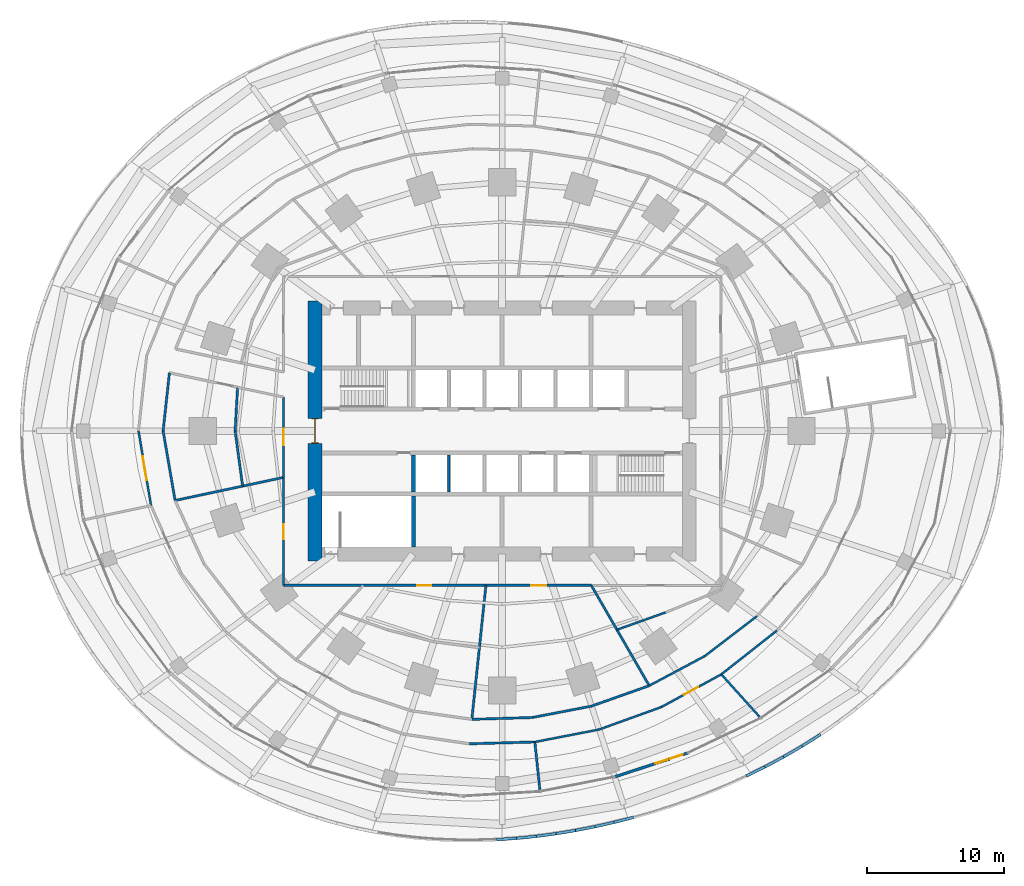
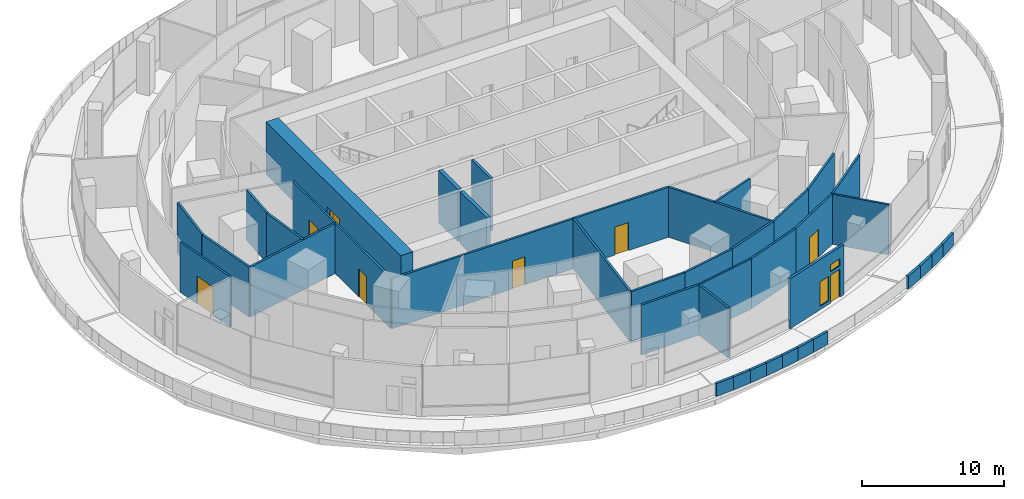
# One storey, part 17 of 26: 40 walls, 8 doors, 2 windows, 10 openings.
"""IFC4 building model written with IfcOpenShell, lengths in metres."""

import ifcopenshell
import ifcopenshell.guid

model = None  # the IFC model being written
_history = None  # IfcOwnerHistory: only IFC2X3 demands one
_inside = {}  # id of a spatial element -> (the spatial element, [elements in it])
_under = {}  # id of a project, library or spatial element -> (it, [spatial elements below it])
_declared = {}  # id of a project -> (the project, [libraries it declares])
_typed = {}  # id of a type object -> (the type object, [elements of that type])
_made_of = {}  # id of a material, layer set ... -> (it, [elements and type objects made of it])


def new_model(schema):
    """Start an empty IFC model of exactly this schema.

    Asked for "IFC4X3", IfcOpenShell would pick the latest addendum, in which some entities
    have other attributes; the version numbers below select the first issue.
    IFC2X3 requires an IfcOwnerHistory on every rooted entity: one is made here for all.
    """
    global model, _history
    if schema == "IFC4X3":
        model = ifcopenshell.file(schema_version=(4, 3, 0, 0))
    else:
        model = ifcopenshell.file(schema=schema)
    _inside.clear()
    _under.clear()
    _declared.clear()
    _typed.clear()
    _made_of.clear()
    _history = None
    if model.schema == "IFC2X3":
        org = make("IfcOrganization", Name="unknown")
        user = make(
            "IfcPersonAndOrganization",
            ThePerson=make("IfcPerson", FamilyName="unknown"),
            TheOrganization=org,
        )
        app = make(
            "IfcApplication",
            ApplicationDeveloper=org,
            Version="unknown",
            ApplicationFullName="unknown",
            ApplicationIdentifier="unknown",
        )
        _history = make(
            "IfcOwnerHistory",
            OwningUser=user,
            OwningApplication=app,
            ChangeAction="ADDED",
            CreationDate=0,
        )
    return model


def make(cls, **values):
    """One entity of the class cls with the attributes given. An attribute that is None is left unset."""
    return model.create_entity(
        cls, **{name: value for name, value in values.items() if value is not None}
    )


def rooted(cls, **values):
    """An entity with a GlobalId (a new one), such as an element, a storey or a relation."""
    return make(cls, GlobalId=ifcopenshell.guid.new(), OwnerHistory=_history, **values)


def si_unit(unit_type, name, prefix=None):
    """IfcSIUnit, for example si_unit("LENGTHUNIT", "METRE", prefix="MILLI")."""
    return make("IfcSIUnit", UnitType=unit_type, Prefix=prefix, Name=name)


def assignment(units):
    """IfcUnitAssignment: the units of a project."""
    return None if units is None else make("IfcUnitAssignment", Units=units)


def point(xyz):
    """IfcCartesianPoint."""
    return None if xyz is None else make("IfcCartesianPoint", Coordinates=xyz)


def direction(xyz):
    """IfcDirection."""
    return None if xyz is None else make("IfcDirection", DirectionRatios=xyz)


def frame(location, z_axis=None, x_axis=None):
    """IfcAxis2Placement3D, a coordinate frame: its origin and axes. An axis left out is left unset."""
    return make(
        "IfcAxis2Placement3D",
        Location=point(location),
        Axis=direction(z_axis),
        RefDirection=direction(x_axis),
    )


def frame_2d(location, x_axis=None):
    """IfcAxis2Placement2D, a coordinate frame in the plane: its origin and x axis."""
    return make(
        "IfcAxis2Placement2D", Location=point(location), RefDirection=direction(x_axis)
    )


def origin():
    """The frame at (0, 0, 0) with its axes left unset."""
    return frame((0.0, 0.0, 0.0))


def place(relative_to, where):
    """IfcLocalPlacement: puts the frame where relative to a parent placement (None: the world)."""
    return make(
        "IfcLocalPlacement", PlacementRelTo=relative_to, RelativePlacement=where
    )


def context(
    kind, dimensions, precision=None, world=None, true_north=None, identifier=None
):
    """IfcGeometricRepresentationContext, for example the 3D "Model" context."""
    return make(
        "IfcGeometricRepresentationContext",
        ContextIdentifier=identifier,
        ContextType=kind,
        CoordinateSpaceDimension=dimensions,
        Precision=precision,
        WorldCoordinateSystem=world,
        TrueNorth=true_north,
    )


def subcontext(parent, identifier, kind, view, scale=None):
    """IfcGeometricRepresentationSubContext, for example "Body" below "Model"."""
    return make(
        "IfcGeometricRepresentationSubContext",
        ContextIdentifier=identifier,
        ContextType=kind,
        ParentContext=parent,
        TargetScale=scale,
        TargetView=view,
    )


def project(units=None, contexts=None):
    """IfcProject with its units and contexts."""
    return rooted(
        "IfcProject",
        Name="project",
        RepresentationContexts=contexts,
        UnitsInContext=assignment(units),
    )


def spatial(cls, under=None, at=None, **own):
    """A site, building, storey or space (cls), placed at a placement, below another one or the project."""
    s = rooted(cls, ObjectPlacement=at, **own)
    if under is not None:
        _under.setdefault(under.id(), (under, []))[1].append(s)
    return s


def profile(cls, at=None, kind="AREA", **sizes):
    """A parametric profile (cls). Its sizes go by their IFC names, for example OverallWidth=200.0."""
    return make(cls, ProfileType=kind, Position=at, **sizes)


def rectangle(**sizes):
    """IfcRectangleProfileDef."""
    return profile("IfcRectangleProfileDef", **sizes)


def extrude(swept, where, along, depth):
    """IfcExtrudedAreaSolid: the profile swept, set in the frame where, extruded along a direction by depth."""
    return make(
        "IfcExtrudedAreaSolid",
        SweptArea=swept,
        Position=where,
        ExtrudedDirection=direction(along),
        Depth=depth,
    )


def shape(context_of_items, identifier, shape_type, items):
    """IfcShapeRepresentation: the items that make up one representation, for example the "Body"."""
    return make(
        "IfcShapeRepresentation",
        ContextOfItems=context_of_items,
        RepresentationIdentifier=identifier,
        RepresentationType=shape_type,
        Items=items,
    )


def material(Name=None, Category=None):
    """IfcMaterial."""
    return make("IfcMaterial", Name=Name, Category=Category)


def layer(
    of_material, thickness, ventilated=None, Name=None, Category=None, Priority=None
):
    """IfcMaterialLayer: one layer of a wall or slab, of a material (None: an air gap)."""
    return make(
        "IfcMaterialLayer",
        Material=of_material,
        LayerThickness=thickness,
        IsVentilated=ventilated,
        Name=Name,
        Category=Category,
        Priority=Priority,
    )


def layer_set(layers, Name=None):
    """IfcMaterialLayerSet."""
    return make("IfcMaterialLayerSet", MaterialLayers=layers, LayerSetName=Name)


def made_of(thing, what):
    """Note that an element or type object is made of a material, layer set ...; save() writes the relation."""
    if what is not None:
        _made_of.setdefault(what.id(), (what, []))[1].append(thing)
    return thing


def type_object(cls, material=None, **own):
    """A type object (cls), such as IfcWallType, which elements share."""
    return made_of(rooted(cls, **own), material)


def element(
    cls,
    number,
    at=None,
    inside=None,
    cuts=None,
    type_object=None,
    material=None,
    context=None,
    identifier="Body",
    shape_type=None,
    held_by="IfcProductDefinitionShape",
    body=None,
    shapes=None,
    **own,
):
    """One element of the class cls, such as IfcWall. Its Tag is "e" and its number.

    at: its placement. inside: the storey or other place that contains it. cuts: it is an
    opening in that element (IfcRelVoidsElement). A single representation is given by context,
    identifier, shape_type and body (its items); several are given by shapes. held_by: the class
    of the entity that holds the representations. save() writes the other relations.
    """
    e = rooted(cls, Tag="e%d" % number, ObjectPlacement=at, **own)
    if body is not None:
        shapes = [shape(context, identifier, shape_type, body)]
    if shapes is not None:
        e.Representation = make(held_by, Representations=shapes)
    if inside is not None:
        _inside.setdefault(inside.id(), (inside, []))[1].append(e)
    if cuts is not None:
        rooted(
            "IfcRelVoidsElement", RelatingBuildingElement=cuts, RelatedOpeningElement=e
        )
    if type_object is not None:
        _typed.setdefault(type_object.id(), (type_object, []))[1].append(e)
    return made_of(e, material)


def fill(opening, filler):
    """IfcRelFillsElement: the door or window that sits in an opening."""
    return rooted(
        "IfcRelFillsElement",
        RelatingOpeningElement=opening,
        RelatedBuildingElement=filler,
    )


def aggregate(whole, parts):
    """IfcRelAggregates: a whole, such as a stair, and the parts it consists of."""
    return rooted("IfcRelAggregates", RelatingObject=whole, RelatedObjects=parts)


def save(model, path):
    """Write the relations noted so far, then the file.

    IfcRelAggregates (storeys below a building ...), IfcRelContainedInSpatialStructure (elements
    in a storey), IfcRelDefinesByType, IfcRelAssociatesMaterial and IfcRelDeclares: one each for
    every whole, place, type object, material and project.
    """
    for whole, parts in _under.values():
        aggregate(whole, parts)
    for where, things in _inside.values():
        rooted(
            "IfcRelContainedInSpatialStructure",
            RelatedElements=things,
            RelatingStructure=where,
        )
    for kind, things in _typed.values():
        rooted("IfcRelDefinesByType", RelatedObjects=things, RelatingType=kind)
    for what, things in _made_of.values():
        rooted("IfcRelAssociatesMaterial", RelatedObjects=things, RelatingMaterial=what)
    for by, libraries in _declared.values():
        rooted("IfcRelDeclares", RelatingContext=by, RelatedDefinitions=libraries)
    model.write(path)


model = new_model("IFC4")

# Units and contexts
model_context = context("Model", 3, precision=1e-05, world=origin(), true_north=direction((0.0, 1.0)))
body_context = subcontext(model_context, "Body", "Model", "MODEL_VIEW")
ifc_project = project(units=[si_unit("LENGTHUNIT", "METRE"), si_unit("AREAUNIT", "SQUARE_METRE"), si_unit("VOLUMEUNIT", "CUBIC_METRE"), si_unit("PLANEANGLEUNIT", "RADIAN"), si_unit("MASSUNIT", "GRAM", prefix="KILO")], contexts=[model_context])

# Site, building, storey
site_placement = place(None, origin())
site = spatial("IfcSite", under=ifc_project, at=site_placement, CompositionType="ELEMENT")
building_placement = place(site_placement, origin())
building = spatial("IfcBuilding", under=site, at=building_placement, Name="Marramba Exchange Tower", CompositionType="ELEMENT")
storey_placement = place(building_placement, frame((0.0, 0.0, 15.10009765625)))
storey = spatial("IfcBuildingStorey", under=building, at=storey_placement, Name="L03", CompositionType="ELEMENT", Elevation=15.10009765625)

# Walls
ifc_material_1 = material(Name="Plasterboard on staggered double steel studs, acoustic insulation", Category="steel")
ifc_layer_1 = layer(ifc_material_1, 0.169921875)
ifc_layer_set_1 = layer_set([ifc_layer_1], Name="Acoustic partition 170")
wall_type_1 = type_object("IfcWallType", Name="Acoustic partition 170", PredefinedType="PARTITIONING", material=ifc_layer_set_1)
wall_1_placement = place(storey_placement, frame((-23.93212890625, -5.0869140625, 0.0), z_axis=(0.0, 0.0, 1.0), x_axis=(-0.169704177239, 0.985495049317, 0.0)))
element("IfcWall", 1, at=wall_1_placement, inside=storey, type_object=wall_type_1, Name="Acoustic partition L03 02", PredefinedType="PARTITIONING", context=body_context, shape_type="SweptSolid", body=[
    extrude(rectangle(XDim=5.161865234375, YDim=0.169921875, at=frame_2d((2.5810546875, 0.0))), origin(), (0.0, 0.0, 1.0), 4.2998046875),
])
wall_2_placement = place(storey_placement, frame((-18.989990234375, -4.036376953125, 0.0), z_axis=(0.0, 0.0, 1.0), x_axis=(-0.135024948545, 0.990842198975, 0.0)))
element("IfcWall", 2, at=wall_2_placement, inside=storey, type_object=wall_type_1, Name="Acoustic partition L03 04", PredefinedType="PARTITIONING", context=body_context, shape_type="SweptSolid", body=[
    extrude(rectangle(XDim=4.07373046875, YDim=0.169921875, at=frame_2d((2.036865234375, 0.0))), origin(), (0.0, 0.0, 1.0), 4.2998046875),
])
wall_3_placement = place(storey_placement, frame((-23.93212890625, -5.0869140625, 0.0), z_axis=(0.0, 0.0, 1.0), x_axis=(0.97814737229, 0.20791276556, 0.0)))
element("IfcWall", 3, at=wall_3_placement, inside=storey, type_object=wall_type_1, Name="Acoustic partition L03 05", PredefinedType="PARTITIONING", context=body_context, shape_type="SweptSolid", body=[
    extrude(rectangle(XDim=8.109375, YDim=0.169921875, at=frame_2d((4.0546875, 0.0))), origin(), (0.0, 0.0, 1.0), 4.2998046875),
])

# Wall, opening, door
wall_4_placement = place(storey_placement, frame((-16.0, -3.40087890625, 0.0), z_axis=(0.0, 0.0, 1.0), x_axis=(0.0, -1.0, 0.0)))
wall_4 = element("IfcWall", 4, at=wall_4_placement, inside=storey, type_object=wall_type_1, Name="Acoustic partition L03 09", PredefinedType="PARTITIONING", context=body_context, shape_type="SweptSolid", body=[
    extrude(rectangle(XDim=7.899169921875, YDim=0.169921875, at=frame_2d((3.94970703125, 0.0))), origin(), (0.0, 0.0, 1.0), 4.2998046875),
])
opening_1_placement = place(wall_4_placement, frame((3.425048828125, 0.0, 0.0)))
opening_1 = element("IfcOpeningElement", 5, at=opening_1_placement, cuts=wall_4, Name="Opening D15", PredefinedType="OPENING", context=body_context, shape_type="SweptSolid", body=[
    extrude(rectangle(XDim=1.10009765625, YDim=2.39990234375, at=frame_2d((0.550048828125, 1.199951171875))), frame((0.0, 0.094970703125, 0.0), z_axis=(0.0, -1.0, 0.0), x_axis=(1.0, 0.0, 0.0)), (0.0, 0.0, 1.0), 0.18994140625),
])
ifc_material_2 = material(Name="Timber door", Category="wood")
door_type_1 = type_object("IfcDoorType", Name="Glazed meeting room door 1100x2400", OperationType="SINGLE_SWING_LEFT", PredefinedType="DOOR", material=ifc_material_2)
door_1_placement = place(opening_1_placement, origin())
door_1 = element("IfcDoor", 6, at=door_1_placement, inside=storey, type_object=door_type_1, Name="D15 Meeting Room 2 L03", OperationType="SINGLE_SWING_RIGHT", OverallHeight=2.39990234375, OverallWidth=1.10009765625, PredefinedType="DOOR", context=body_context, shape_type="SweptSolid", body=[
    extrude(rectangle(XDim=1.10009765625, YDim=2.39990234375, at=frame_2d((0.550048828125, 1.199951171875))), frame((0.0, 0.02490234375, 0.0), z_axis=(0.0, -1.0, 0.0), x_axis=(1.0, 0.0, 0.0)), (0.0, 0.0, 1.0), 0.050048828125),
])
fill(opening_1, door_1)

# Wall, openings, doors
wall_5_placement = place(storey_placement, frame((-16.0, -11.300048828125, 0.0), z_axis=(0.0, 0.0, 1.0), x_axis=(1.0, 0.0, 0.0)))
wall_5 = element("IfcWall", 7, at=wall_5_placement, inside=storey, type_object=wall_type_1, Name="Acoustic partition L03 23", PredefinedType="PARTITIONING", context=body_context, shape_type="SweptSolid", body=[
    extrude(rectangle(XDim=22.524169921875, YDim=0.169921875, at=frame_2d((11.26220703125, 0.0))), origin(), (0.0, 0.0, 1.0), 4.2998046875),
])
opening_2_placement = place(wall_5_placement, frame((18.117919921875, 0.0, 0.0)))
opening_2 = element("IfcOpeningElement", 8, at=opening_2_placement, cuts=wall_5, Name="Opening D15", PredefinedType="OPENING", context=body_context, shape_type="SweptSolid", body=[
    extrude(rectangle(XDim=1.10009765625, YDim=2.39990234375, at=frame_2d((0.550048828125, 1.199951171875))), frame((0.0, 0.094970703125, 0.0), z_axis=(0.0, -1.0, 0.0), x_axis=(1.0, 0.0, 0.0)), (0.0, 0.0, 1.0), 0.18994140625),
])
opening_3_placement = place(wall_5_placement, frame((9.7939453125, 0.0, 0.0)))
opening_3 = element("IfcOpeningElement", 9, at=opening_3_placement, cuts=wall_5, Name="Opening D9", PredefinedType="OPENING", context=body_context, shape_type="SweptSolid", body=[
    extrude(rectangle(XDim=1.0, YDim=2.39990234375, at=frame_2d((0.5, 1.199951171875))), frame((0.0, 0.094970703125, 0.0), z_axis=(0.0, -1.0, 0.0), x_axis=(1.0, 0.0, 0.0)), (0.0, 0.0, 1.0), 0.18994140625),
])
door_2_placement = place(opening_2_placement, origin())
door_2 = element("IfcDoor", 10, at=door_2_placement, inside=storey, type_object=door_type_1, Name="D15 Meeting Room 3 L03", OperationType="SINGLE_SWING_RIGHT", OverallHeight=2.39990234375, OverallWidth=1.10009765625, PredefinedType="DOOR", context=body_context, shape_type="SweptSolid", body=[
    extrude(rectangle(XDim=1.10009765625, YDim=2.39990234375, at=frame_2d((0.550048828125, 1.199951171875))), frame((0.0, 0.02490234375, 0.0), z_axis=(0.0, -1.0, 0.0), x_axis=(1.0, 0.0, 0.0)), (0.0, 0.0, 1.0), 0.050048828125),
])
fill(opening_2, door_2)
door_type_2 = type_object("IfcDoorType", Name="Room door 1000x2400", OperationType="SINGLE_SWING_LEFT", PredefinedType="DOOR", material=ifc_material_2)
door_3_placement = place(opening_3_placement, frame((1.0, 0.0, 0.0), z_axis=(0.0, 0.0, 1.0), x_axis=(-1.0, 0.0, 0.0)))
door_3 = element("IfcDoor", 11, at=door_3_placement, inside=storey, type_object=door_type_2, Name="D9 Quiet Room 1 L03", OperationType="SINGLE_SWING_LEFT", OverallHeight=2.39990234375, OverallWidth=1.0, PredefinedType="DOOR", context=body_context, shape_type="SweptSolid", body=[
    extrude(rectangle(XDim=1.0, YDim=2.39990234375, at=frame_2d((0.5, 1.199951171875))), frame((0.0, 0.025146484375, 0.0), z_axis=(0.0, -1.0, 0.0), x_axis=(1.0, 0.0, 0.0)), (0.0, 0.0, 1.0), 0.050048828125),
])
fill(opening_3, door_3)

# Walls
wall_6_placement = place(storey_placement, frame((-2.2177734375, -21.1005859375, 0.0), z_axis=(0.0, 0.0, 1.0), x_axis=(0.10452357926, 0.994522408686, 0.0)))
element("IfcWall", 12, at=wall_6_placement, inside=storey, type_object=wall_type_1, Name="Acoustic partition L03 27", PredefinedType="PARTITIONING", context=body_context, shape_type="SweptSolid", body=[
    extrude(rectangle(XDim=9.8544921875, YDim=0.169921875, at=frame_2d((4.92724609375, 0.0))), origin(), (0.0, 0.0, 1.0), 4.2998046875),
])
wall_7_placement = place(storey_placement, frame((2.203857421875, -20.967529296875, 0.0), z_axis=(0.0, 0.0, 1.0), x_axis=(-0.999547536744, -0.030078593536, 0.0)))
element("IfcWall", 13, at=wall_7_placement, inside=storey, type_object=wall_type_1, Name="Acoustic partition L03 28", PredefinedType="PARTITIONING", context=body_context, shape_type="SweptSolid", body=[
    extrude(rectangle(XDim=4.423583984375, YDim=0.169921875, at=frame_2d((2.2119140625, 0.0))), origin(), (0.0, 0.0, 1.0), 4.2998046875),
])
wall_8_placement = place(storey_placement, frame((-2.406005859375, -22.890625, 0.0), z_axis=(0.0, 0.0, 1.0), x_axis=(0.999617082876, 0.027671061118, 0.0)))
element("IfcWall", 14, at=wall_8_placement, inside=storey, type_object=wall_type_1, Name="Acoustic partition L03 29", PredefinedType="PARTITIONING", context=body_context, shape_type="SweptSolid", body=[
    extrude(rectangle(XDim=4.7998046875, YDim=0.169921875, at=frame_2d((2.39990234375, 0.0))), origin(), (0.0, 0.0, 1.0), 4.2998046875),
])
wall_9_placement = place(storey_placement, frame((2.391845703125, -22.7578125, 0.0), z_axis=(0.0, 0.0, 1.0), x_axis=(0.104560029418, -0.994518577126, 0.0)))
element("IfcWall", 15, at=wall_9_placement, inside=storey, type_object=wall_type_1, Name="Acoustic partition L03 30", PredefinedType="PARTITIONING", context=body_context, shape_type="SweptSolid", body=[
    extrude(rectangle(XDim=3.5654296875, YDim=0.169921875, at=frame_2d((1.78271484375, 0.0))), origin(), (0.0, 0.0, 1.0), 4.2998046875),
])
wall_10_placement = place(storey_placement, frame((6.54150390625, -20.1328125, 0.0), z_axis=(0.0, 0.0, 1.0), x_axis=(-0.981983180377, -0.188968339827, 0.0)))
element("IfcWall", 16, at=wall_10_placement, inside=storey, type_object=wall_type_1, Name="Acoustic partition L03 32", PredefinedType="PARTITIONING", context=body_context, shape_type="SweptSolid", body=[
    extrude(rectangle(XDim=4.417236328125, YDim=0.169921875, at=frame_2d((2.20849609375, 0.0))), origin(), (0.0, 0.0, 1.0), 4.2998046875),
])
wall_11_placement = place(storey_placement, frame((10.760986328125, -18.638671875, 0.0), z_axis=(0.0, 0.0, 1.0), x_axis=(-0.942645460437, -0.333795649938, 0.0)))
element("IfcWall", 17, at=wall_11_placement, inside=storey, type_object=wall_type_1, Name="Acoustic partition L03 34", PredefinedType="PARTITIONING", context=body_context, shape_type="SweptSolid", body=[
    extrude(rectangle(XDim=4.476318359375, YDim=0.169921875, at=frame_2d((2.23828125, 0.0))), origin(), (0.0, 0.0, 1.0), 4.2998046875),
])
wall_12_placement = place(storey_placement, frame((6.524169921875, -11.300048828125, 0.0), z_axis=(0.0, 0.0, 1.0), x_axis=(0.499987645576, -0.866032536497, 0.0)))
element("IfcWall", 18, at=wall_12_placement, inside=storey, type_object=wall_type_1, Name="Acoustic partition L03 35", PredefinedType="PARTITIONING", context=body_context, shape_type="SweptSolid", body=[
    extrude(rectangle(XDim=8.473876953125, YDim=0.169921875, at=frame_2d((4.23681640625, 0.0))), origin(), (0.0, 0.0, 1.0), 4.2998046875),
])
wall_13_placement = place(storey_placement, frame((-24.80810546875, 0.0, 0.0), z_axis=(0.0, 0.0, 1.0), x_axis=(0.107983193609, 0.994152719605, 0.0)))
element("IfcWall", 19, at=wall_13_placement, inside=storey, type_object=wall_type_1, Name="Acoustic partition L03 117", PredefinedType="PARTITIONING", context=body_context, shape_type="SweptSolid", body=[
    extrude(rectangle(XDim=4.280029296875, YDim=0.169921875, at=frame_2d((2.14013671875, 0.0))), origin(), (0.0, 0.0, 1.0), 4.2998046875),
])
wall_14_placement = place(storey_placement, frame((-19.5400390625, 0.0, 0.0), z_axis=(0.0, 0.0, 1.0), x_axis=(0.056843363857, 0.998383108824, 0.0)))
element("IfcWall", 20, at=wall_14_placement, inside=storey, type_object=wall_type_1, Name="Acoustic partition L03 118", PredefinedType="PARTITIONING", context=body_context, shape_type="SweptSolid", body=[
    extrude(rectangle(XDim=3.19970703125, YDim=0.169921875, at=frame_2d((1.599853515625, 0.0))), origin(), (0.0, 0.0, 1.0), 4.2998046875),
])
ifc_material_3 = material(Name="Concrete N50", Category="concrete")
ifc_layer_2 = layer(ifc_material_3, 0.199951171875)
ifc_layer_set_2 = layer_set([ifc_layer_2], Name="Core shaft wall 200")
wall_type_2 = type_object("IfcWallType", Name="Core shaft wall 200", PredefinedType="SHEAR", material=ifc_layer_set_2)
wall_15_placement = place(storey_placement, frame((-3.89990234375, -1.75, 0.0), z_axis=(0.0, 0.0, 1.0), x_axis=(0.0, -1.0, 0.0)))
element("IfcWall", 21, at=wall_15_placement, inside=storey, type_object=wall_type_2, Name="Core wall SHS1 L03", PredefinedType="SHEAR", context=body_context, shape_type="SweptSolid", body=[
    extrude(rectangle(XDim=2.699951171875, YDim=0.199951171875, at=frame_2d((1.35009765625, 0.0))), origin(), (0.0, 0.0, 1.0), 4.5),
])

# Wall, opening, door
ifc_layer_3 = layer(ifc_material_3, 1.0)
ifc_layer_set_3 = layer_set([ifc_layer_3], Name="Core wall 1000")
wall_type_3 = type_object("IfcWallType", Name="Core wall 1000", PredefinedType="SHEAR", material=ifc_layer_set_3)
wall_16_placement = place(storey_placement, frame((-13.699951171875, 9.5, 0.0), z_axis=(0.0, 0.0, 1.0), x_axis=(0.0, -1.0, 0.0)))
wall_16 = element("IfcWall", 22, at=wall_16_placement, inside=storey, type_object=wall_type_3, Name="Core wall W L03", PredefinedType="SHEAR", context=body_context, shape_type="SweptSolid", body=[
    extrude(rectangle(XDim=19.0, YDim=1.0, at=frame_2d((9.5, 0.0))), origin(), (0.0, 0.0, 1.0), 4.5),
])
opening_4_placement = place(wall_16_placement, frame((8.60009765625, 0.0, 0.0)))
opening_4 = element("IfcOpeningElement", 23, at=opening_4_placement, cuts=wall_16, Name="Opening D1", PredefinedType="OPENING", context=body_context, shape_type="SweptSolid", body=[
    extrude(rectangle(XDim=1.800048828125, YDim=2.39990234375, at=frame_2d((0.89990234375, 1.199951171875))), frame((0.0, 0.510009765625, 0.0), z_axis=(0.0, -1.0, 0.0), x_axis=(1.0, 0.0, 0.0)), (0.0, 0.0, 1.0), 1.02001953125),
])
ifc_material_4 = material(Name="Steel-framed door", Category="steel")
door_type_3 = type_object("IfcDoorType", Name="Lobby exit door 1800x2400", OperationType="DOUBLE_DOOR_SINGLE_SWING", PredefinedType="DOOR", material=ifc_material_4)
door_4_placement = place(opening_4_placement, origin())
door_4 = element("IfcDoor", 24, at=door_4_placement, inside=storey, type_object=door_type_3, Name="D1 lobby exit west L03", OperationType="DOUBLE_DOOR_SINGLE_SWING", OverallHeight=2.39990234375, OverallWidth=1.800048828125, PredefinedType="DOOR", context=body_context, shape_type="SweptSolid", body=[
    extrude(rectangle(XDim=1.719970703125, YDim=2.35986328125, at=frame_2d((0.89990234375, 1.179931640625))), frame((0.0, 0.02490234375, 0.0), z_axis=(0.0, -1.0, 0.0), x_axis=(1.0, 0.0, 0.0)), (0.0, 0.0, 1.0), 0.050048828125),
    extrude(rectangle(XDim=0.04, YDim=2.39990234375, at=frame_2d((0.02001953125, 1.199951171875))), frame((0.0, 0.25, 0.0), z_axis=(0.0, -1.0, 0.0), x_axis=(1.0, 0.0, 0.0)), (0.0, 0.0, 1.0), 0.5),
    extrude(rectangle(XDim=0.04, YDim=2.39990234375, at=frame_2d((1.780029296875, 1.199951171875))), frame((0.0, 0.25, 0.0), z_axis=(0.0, -1.0, 0.0), x_axis=(1.0, 0.0, 0.0)), (0.0, 0.0, 1.0), 0.5),
    extrude(rectangle(XDim=1.719970703125, YDim=0.04, at=frame_2d((0.89990234375, 2.3798828125))), frame((0.0, 0.25, 0.0), z_axis=(0.0, -1.0, 0.0), x_axis=(1.0, 0.0, 0.0)), (0.0, 0.0, 1.0), 0.5),
])
fill(opening_4, door_4)

# Walls
ifc_layer_4 = layer(ifc_material_3, 0.300048828125)
ifc_layer_set_4 = layer_set([ifc_layer_4], Name="Core wall 300")
wall_type_4 = type_object("IfcWallType", Name="Core wall 300", PredefinedType="SHEAR", material=ifc_layer_set_4)
wall_17_placement = place(storey_placement, frame((-6.5, -1.75, 0.0), z_axis=(0.0, 0.0, 1.0), x_axis=(0.0, -1.0, 0.0)))
element("IfcWall", 25, at=wall_17_placement, inside=storey, type_object=wall_type_4, Name="Core wall X0Sa L03", PredefinedType="SHEAR", context=body_context, shape_type="SweptSolid", body=[
    extrude(rectangle(XDim=2.699951171875, YDim=0.300048828125, at=frame_2d((1.35009765625, 0.0))), origin(), (0.0, 0.0, 1.0), 4.5),
])
wall_18_placement = place(storey_placement, frame((-6.5, -4.75, 0.0), z_axis=(0.0, 0.0, 1.0), x_axis=(0.0, -1.0, 0.0)))
element("IfcWall", 26, at=wall_18_placement, inside=storey, type_object=wall_type_4, Name="Core wall X0Sb L03", PredefinedType="SHEAR", context=body_context, shape_type="SweptSolid", body=[
    extrude(rectangle(XDim=3.75, YDim=0.300048828125, at=frame_2d((1.875, 0.0))), origin(), (0.0, 0.0, 1.0), 4.5),
])

# Wall, openings, door, windows
ifc_material_5 = material(Name="Aluminium-framed bronze cladding on steel studs", Category="steel")
ifc_layer_5 = layer(ifc_material_5, 0.199951171875)
ifc_layer_set_5 = layer_set([ifc_layer_5], Name="Door screen wall 200")
wall_type_5 = type_object("IfcWallType", Name="Door screen wall 200", PredefinedType="SOLIDWALL", material=ifc_layer_set_5)
wall_19_placement = place(storey_placement, frame((8.224609375, -25.3125, 0.0), z_axis=(0.0, 0.0, 1.0), x_axis=(0.950442832927, 0.310899374939, 0.0)))
wall_19 = element("IfcWall", 27, at=wall_19_placement, inside=storey, type_object=wall_type_5, Name="Door screen L03 F25", PredefinedType="SOLIDWALL", context=body_context, shape_type="SweptSolid", body=[
    extrude(rectangle(XDim=5.65478515625, YDim=0.199951171875, at=frame_2d((2.827392578125, 0.0))), origin(), (0.0, 0.0, 1.0), 4.2998046875),
])
opening_5_placement = place(wall_19_placement, frame((4.2548828125, 0.0, 0.0)))
opening_5 = element("IfcOpeningElement", 28, at=opening_5_placement, cuts=wall_19, Name="Opening D6", PredefinedType="OPENING", context=body_context, shape_type="SweptSolid", body=[
    extrude(rectangle(XDim=1.0, YDim=2.39990234375, at=frame_2d((0.5, 1.199951171875))), frame((0.0, 0.10986328125, 0.0), z_axis=(0.0, -1.0, 0.0), x_axis=(1.0, 0.0, 0.0)), (0.0, 0.0, 1.0), 0.219970703125),
])
opening_6_placement = place(wall_19_placement, frame((3.15478515625, 0.0, 0.300048828125)))
opening_6 = element("IfcOpeningElement", 29, at=opening_6_placement, cuts=wall_19, Name="Opening W4", PredefinedType="OPENING", context=body_context, shape_type="SweptSolid", body=[
    extrude(rectangle(XDim=0.89990234375, YDim=2.10009765625, at=frame_2d((0.449951171875, 1.050048828125))), frame((0.0, 0.10986328125, 0.0), z_axis=(0.0, -1.0, 0.0), x_axis=(1.0, 0.0, 0.0)), (0.0, 0.0, 1.0), 0.219970703125),
])
opening_7_placement = place(wall_19_placement, frame((4.2548828125, 0.0, 2.699951171875)))
opening_7 = element("IfcOpeningElement", 30, at=opening_7_placement, cuts=wall_19, Name="Opening W5", PredefinedType="OPENING", context=body_context, shape_type="SweptSolid", body=[
    extrude(rectangle(XDim=1.0, YDim=0.60009765625, at=frame_2d((0.5, 0.300048828125))), frame((0.0, 0.10986328125, 0.0), z_axis=(0.0, -1.0, 0.0), x_axis=(1.0, 0.0, 0.0)), (0.0, 0.0, 1.0), 0.219970703125),
])
ifc_material_6 = material(Name="Aluminium-framed glazed door, bronze", Category="aluminium")
door_type_4 = type_object("IfcDoorType", Name="Terrace door 1000x2400", OperationType="SINGLE_SWING_LEFT", PredefinedType="DOOR", material=ifc_material_6)
door_5_placement = place(opening_5_placement, frame((1.0, 0.0, 0.0), z_axis=(0.0, 0.0, 1.0), x_axis=(-1.0, 0.0, 0.0)))
door_5 = element("IfcDoor", 31, at=door_5_placement, inside=storey, type_object=door_type_4, Name="D6 L03", OperationType="SINGLE_SWING_RIGHT", OverallHeight=2.39990234375, OverallWidth=1.0, PredefinedType="DOOR", context=body_context, shape_type="SweptSolid", body=[
    extrude(rectangle(XDim=1.0, YDim=2.39990234375, at=frame_2d((0.5, 1.199951171875))), frame((0.0, 0.025146484375, 0.0), z_axis=(0.0, -1.0, 0.0), x_axis=(1.0, 0.0, 0.0)), (0.0, 0.0, 1.0), 0.050048828125),
])
fill(opening_5, door_5)
ifc_material_7 = material(Name="Aluminium-framed fixed light, bronze, double glazed", Category="aluminium")
window_type_1 = type_object("IfcWindowType", Name="Terrace sidelight 900x2100", PartitioningType="SINGLE_PANEL", PredefinedType="WINDOW", material=ifc_material_7)
window_1_placement = place(opening_6_placement, origin())
window_1 = element("IfcWindow", 32, at=window_1_placement, inside=storey, type_object=window_type_1, Name="W4 L03 F25 left", OverallHeight=2.10009765625, OverallWidth=0.89990234375, PartitioningType="SINGLE_PANEL", PredefinedType="WINDOW", context=body_context, shape_type="SweptSolid", body=[
    extrude(rectangle(XDim=0.89990234375, YDim=2.10009765625, at=frame_2d((0.449951171875, 1.050048828125))), frame((0.0, 0.030029296875, 0.0), z_axis=(0.0, -1.0, 0.0), x_axis=(1.0, 0.0, 0.0)), (0.0, 0.0, 1.0), 0.06005859375),
])
fill(opening_6, window_1)
window_type_2 = type_object("IfcWindowType", Name="Terrace transom light 1000x600", PartitioningType="SINGLE_PANEL", PredefinedType="WINDOW", material=ifc_material_7)
window_2_placement = place(opening_7_placement, origin())
window_2 = element("IfcWindow", 33, at=window_2_placement, inside=storey, type_object=window_type_2, Name="W5 L03 F25 over the door", OverallHeight=0.60009765625, OverallWidth=1.0, PartitioningType="SINGLE_PANEL", PredefinedType="WINDOW", context=body_context, shape_type="SweptSolid", body=[
    extrude(rectangle(XDim=1.0, YDim=0.60009765625, at=frame_2d((0.5, 0.300048828125))), frame((0.0, 0.030029296875, 0.0), z_axis=(0.0, -1.0, 0.0), x_axis=(1.0, 0.0, 0.0)), (0.0, 0.0, 1.0), 0.06005859375),
])
fill(opening_7, window_2)

# Walls
ifc_material_8 = material(Name="Concrete N40", Category="concrete")
ifc_layer_6 = layer(ifc_material_8, 0.199951171875)
ifc_layer_set_6 = layer_set([ifc_layer_6], Name="Roof parapet 200")
wall_type_6 = type_object("IfcWallType", Name="Roof parapet 200", PredefinedType="PARAPET", material=ifc_layer_set_6)
wall_20_placement = place(storey_placement, frame((-0.398681640625, -29.902099609375, 0.0), z_axis=(0.0, 0.0, 1.0), x_axis=(0.997703561439, 0.067731849911, 0.0)))
element("IfcWall", 34, at=wall_20_placement, inside=storey, type_object=wall_type_6, Name="Parapet L03 bay 16", PredefinedType="PARAPET", context=body_context, shape_type="SweptSolid", body=[
    extrude(rectangle(XDim=1.456298828125, YDim=0.199951171875, at=frame_2d((0.72802734375, 0.0))), origin(), (0.0, 0.0, 1.0), 1.099853515625),
])
wall_21_placement = place(storey_placement, frame((1.05419921875, -29.803466796875, 0.0), z_axis=(0.0, 0.0, 1.0), x_axis=(0.994930052491, 0.100569332554, 0.0)))
element("IfcWall", 35, at=wall_21_placement, inside=storey, type_object=wall_type_6, Name="Parapet L03 bay 16", PredefinedType="PARAPET", context=body_context, shape_type="SweptSolid", body=[
    extrude(rectangle(XDim=1.45166015625, YDim=0.199951171875, at=frame_2d((0.725830078125, 0.0))), origin(), (0.0, 0.0, 1.0), 1.099853515625),
])
wall_22_placement = place(storey_placement, frame((2.49853515625, -29.657470703125, 0.0), z_axis=(0.0, 0.0, 1.0), x_axis=(0.991211703926, 0.132285138997, 0.0)))
element("IfcWall", 36, at=wall_22_placement, inside=storey, type_object=wall_type_6, Name="Parapet L03 bay 16", PredefinedType="PARAPET", context=body_context, shape_type="SweptSolid", body=[
    extrude(rectangle(XDim=1.44873046875, YDim=0.199951171875, at=frame_2d((0.724365234375, 0.0))), origin(), (0.0, 0.0, 1.0), 1.099853515625),
])
wall_23_placement = place(storey_placement, frame((3.9345703125, -29.4658203125, 0.0), z_axis=(0.0, 0.0, 1.0), x_axis=(0.986657122741, 0.162811922614, 0.0)))
element("IfcWall", 37, at=wall_23_placement, inside=storey, type_object=wall_type_6, Name="Parapet L03 bay 16", PredefinedType="PARAPET", context=body_context, shape_type="SweptSolid", body=[
    extrude(rectangle(XDim=1.447021484375, YDim=0.199951171875, at=frame_2d((0.7236328125, 0.0))), origin(), (0.0, 0.0, 1.0), 1.099853515625),
])
wall_24_placement = place(storey_placement, frame((5.3623046875, -29.230224609375, 0.0), z_axis=(0.0, 0.0, 1.0), x_axis=(0.98137676136, 0.192092821995, 0.0)))
element("IfcWall", 38, at=wall_24_placement, inside=storey, type_object=wall_type_6, Name="Parapet L03 bay 16", PredefinedType="PARAPET", context=body_context, shape_type="SweptSolid", body=[
    extrude(rectangle(XDim=1.447509765625, YDim=0.199951171875, at=frame_2d((0.7236328125, 0.0))), origin(), (0.0, 0.0, 1.0), 1.099853515625),
])
wall_25_placement = place(storey_placement, frame((6.782958984375, -28.9521484375, 0.0), z_axis=(0.0, 0.0, 1.0), x_axis=(0.975391949069, 0.220477993668, 0.0)))
element("IfcWall", 39, at=wall_25_placement, inside=storey, type_object=wall_type_6, Name="Parapet L03 bay 16", PredefinedType="PARAPET", context=body_context, shape_type="SweptSolid", body=[
    extrude(rectangle(XDim=1.449462890625, YDim=0.199951171875, at=frame_2d((0.724609375, 0.0))), origin(), (0.0, 0.0, 1.0), 1.099853515625),
])
wall_26_placement = place(storey_placement, frame((8.19677734375, -28.632568359375, 0.0), z_axis=(0.0, 0.0, 1.0), x_axis=(0.968673187944, 0.248338992021, 0.0)))
element("IfcWall", 40, at=wall_26_placement, inside=storey, type_object=wall_type_6, Name="Parapet L03 bay 16", PredefinedType="PARAPET", context=body_context, shape_type="SweptSolid", body=[
    extrude(rectangle(XDim=1.4541015625, YDim=0.199951171875, at=frame_2d((0.72705078125, 0.0))), origin(), (0.0, 0.0, 1.0), 1.099853515625),
])
wall_27_placement = place(storey_placement, frame((17.854736328125, -25.251220703125, 0.0), z_axis=(0.0, 0.0, 1.0), x_axis=(0.897815596624, 0.440371609505, 0.0)))
element("IfcWall", 41, at=wall_27_placement, inside=storey, type_object=wall_type_6, Name="Parapet L03 bay 18", PredefinedType="PARAPET", context=body_context, shape_type="SweptSolid", body=[
    extrude(rectangle(XDim=1.530029296875, YDim=0.199951171875, at=frame_2d((0.76513671875, 0.0))), origin(), (0.0, 0.0, 1.0), 1.099853515625),
])
wall_28_placement = place(storey_placement, frame((19.228515625, -24.577392578125, 0.0), z_axis=(0.0, 0.0, 1.0), x_axis=(0.882226373054, 0.470825473703, 0.0)))
element("IfcWall", 42, at=wall_28_placement, inside=storey, type_object=wall_type_6, Name="Parapet L03 bay 18", PredefinedType="PARAPET", context=body_context, shape_type="SweptSolid", body=[
    extrude(rectangle(XDim=1.548828125, YDim=0.199951171875, at=frame_2d((0.7744140625, 0.0))), origin(), (0.0, 0.0, 1.0), 1.099853515625),
])
wall_29_placement = place(storey_placement, frame((20.594970703125, -23.84814453125, 0.0), z_axis=(0.0, 0.0, 1.0), x_axis=(0.864647164532, 0.502379618283, 0.0)))
element("IfcWall", 43, at=wall_29_placement, inside=storey, type_object=wall_type_6, Name="Parapet L03 bay 18", PredefinedType="PARAPET", context=body_context, shape_type="SweptSolid", body=[
    extrude(rectangle(XDim=1.568115234375, YDim=0.199951171875, at=frame_2d((0.7841796875, 0.0))), origin(), (0.0, 0.0, 1.0), 1.099853515625),
])
wall_30_placement = place(storey_placement, frame((21.950927734375, -23.060302734375, 0.0), z_axis=(0.0, 0.0, 1.0), x_axis=(0.844849178987, 0.53500454649, 0.0)))
element("IfcWall", 44, at=wall_30_placement, inside=storey, type_object=wall_type_6, Name="Parapet L03 bay 18", PredefinedType="PARAPET", context=body_context, shape_type="SweptSolid", body=[
    extrude(rectangle(XDim=1.58837890625, YDim=0.199951171875, at=frame_2d((0.794189453125, 0.0))), origin(), (0.0, 0.0, 1.0), 1.099853515625),
])

# Wall, opening, door
ifc_material_9 = material(Name="Fire-rated plasterboard on steel studs, acoustic insulation", Category="steel")
ifc_layer_7 = layer(ifc_material_9, 0.14990234375)
ifc_layer_set_7 = layer_set([ifc_layer_7], Name="Tenancy wall 150")
wall_type_7 = type_object("IfcWallType", Name="Tenancy wall 150", PredefinedType="PARTITIONING", material=ifc_layer_set_7)
wall_31_placement = place(storey_placement, frame((-16.0, 2.480712890625, 0.0), z_axis=(0.0, 0.0, 1.0), x_axis=(0.0, -1.0, 0.0)))
wall_31 = element("IfcWall", 45, at=wall_31_placement, inside=storey, type_object=wall_type_7, Name="Tenancy wall L03 01", PredefinedType="PARTITIONING", context=body_context, shape_type="SweptSolid", body=[
    extrude(rectangle(XDim=5.881591796875, YDim=0.14990234375, at=frame_2d((2.94091796875, 0.0))), origin(), (0.0, 0.0, 1.0), 4.2998046875),
])
opening_8_placement = place(wall_31_placement, frame((2.31591796875, 0.0, 0.0)))
opening_8 = element("IfcOpeningElement", 46, at=opening_8_placement, cuts=wall_31, Name="Opening D13", PredefinedType="OPENING", context=body_context, shape_type="SweptSolid", body=[
    extrude(rectangle(XDim=1.199951171875, YDim=2.39990234375, at=frame_2d((0.60009765625, 1.199951171875))), frame((0.0, 0.0849609375, 0.0), z_axis=(0.0, -1.0, 0.0), x_axis=(1.0, 0.0, 0.0)), (0.0, 0.0, 1.0), 0.169921875),
])
door_type_5 = type_object("IfcDoorType", Name="Tenancy entry door 1200x2400", OperationType="SINGLE_SWING_LEFT", PredefinedType="DOOR", material=ifc_material_4)
door_6_placement = place(opening_8_placement, frame((1.199951171875, 0.0, 0.0), z_axis=(0.0, 0.0, 1.0), x_axis=(-1.0, 0.0, 0.0)))
door_6 = element("IfcDoor", 47, at=door_6_placement, inside=storey, type_object=door_type_5, Name="D13 Pantry L03", OperationType="SINGLE_SWING_RIGHT", OverallHeight=2.39990234375, OverallWidth=1.199951171875, PredefinedType="DOOR", context=body_context, shape_type="SweptSolid", body=[
    extrude(rectangle(XDim=1.199951171875, YDim=2.39990234375, at=frame_2d((0.599853515625, 1.199951171875))), frame((0.0, 0.025146484375, 0.0), z_axis=(0.0, -1.0, 0.0), x_axis=(1.0, 0.0, 0.0)), (0.0, 0.0, 1.0), 0.050048828125),
])
fill(opening_8, door_6)

wall_32_placement = place(storey_placement, frame((-26.60791015625, 0.0, 0.0), z_axis=(0.0, 0.0, 1.0), x_axis=(0.165292631836, -0.986244566961, 0.0)))
wall_32 = element("IfcWall", 48, at=wall_32_placement, inside=storey, type_object=wall_type_7, Name="Tenancy wall L03 03", PredefinedType="PARTITIONING", context=body_context, shape_type="SweptSolid", body=[
    extrude(rectangle(XDim=5.537353515625, YDim=0.14990234375, at=frame_2d((2.7685546875, 0.0))), origin(), (0.0, 0.0, 1.0), 4.2998046875),
])
opening_9_placement = place(wall_32_placement, frame((1.868896484375, 0.0, 0.0)))
opening_9 = element("IfcOpeningElement", 49, at=opening_9_placement, cuts=wall_32, Name="Opening D18", PredefinedType="OPENING", context=body_context, shape_type="SweptSolid", body=[
    extrude(rectangle(XDim=1.800048828125, YDim=2.39990234375, at=frame_2d((0.89990234375, 1.199951171875))), frame((0.0, 0.0849609375, 0.0), z_axis=(0.0, -1.0, 0.0), x_axis=(1.0, 0.0, 0.0)), (0.0, 0.0, 1.0), 0.169921875),
])
door_type_6 = type_object("IfcDoorType", Name="Door pair 1800x2400", OperationType="DOUBLE_DOOR_SINGLE_SWING", PredefinedType="DOOR", material=ifc_material_4)
door_7_placement = place(opening_9_placement, origin())
door_7 = element("IfcDoor", 50, at=door_7_placement, inside=storey, type_object=door_type_6, Name="D18 Staff Breakout L03", OperationType="DOUBLE_DOOR_SINGLE_SWING", OverallHeight=2.39990234375, OverallWidth=1.800048828125, PredefinedType="DOOR", context=body_context, shape_type="SweptSolid", body=[
    extrude(rectangle(XDim=1.800048828125, YDim=2.39990234375, at=frame_2d((0.89990234375, 1.199951171875))), frame((0.0, 0.02490234375, 0.0), z_axis=(0.0, -1.0, 0.0), x_axis=(1.0, 0.0, 0.0)), (0.0, 0.0, 1.0), 0.050048828125),
])
fill(opening_9, door_7)

# Walls
wall_33_placement = place(storey_placement, frame((2.391845703125, -22.7578125, 0.0), z_axis=(0.0, 0.0, 1.0), x_axis=(0.981692704744, 0.190471607997, 0.0)))
element("IfcWall", 51, at=wall_33_placement, inside=storey, type_object=wall_type_7, Name="Tenancy wall L03 31", PredefinedType="PARTITIONING", context=body_context, shape_type="SweptSolid", body=[
    extrude(rectangle(XDim=4.793701171875, YDim=0.14990234375, at=frame_2d((2.39697265625, 0.0))), origin(), (0.0, 0.0, 1.0), 4.2998046875),
])
wall_34_placement = place(storey_placement, frame((7.097900390625, -21.8447265625, 0.0), z_axis=(0.0, 0.0, 1.0), x_axis=(0.940588727739, 0.339548001394, 0.0)))
element("IfcWall", 52, at=wall_34_placement, inside=storey, type_object=wall_type_7, Name="Tenancy wall L03 33", PredefinedType="PARTITIONING", context=body_context, shape_type="SweptSolid", body=[
    extrude(rectangle(XDim=4.851318359375, YDim=0.14990234375, at=frame_2d((2.42578125, 0.0))), origin(), (0.0, 0.0, 1.0), 4.2998046875),
])

# Wall, opening, door
wall_35_placement = place(storey_placement, frame((11.660888671875, -20.197509765625, 0.0), z_axis=(0.0, 0.0, 1.0), x_axis=(0.877614616442, 0.479366858478, 0.0)))
wall_35 = element("IfcWall", 53, at=wall_35_placement, inside=storey, type_object=wall_type_7, Name="Tenancy wall L03 36", PredefinedType="PARTITIONING", context=body_context, shape_type="SweptSolid", body=[
    extrude(rectangle(XDim=4.98388671875, YDim=0.14990234375, at=frame_2d((2.491943359375, 0.0))), origin(), (0.0, 0.0, 1.0), 4.2998046875),
])
opening_10_placement = place(wall_35_placement, frame((1.866943359375, 0.0, 0.0)))
opening_10 = element("IfcOpeningElement", 54, at=opening_10_placement, cuts=wall_35, Name="Opening D13", PredefinedType="OPENING", context=body_context, shape_type="SweptSolid", body=[
    extrude(rectangle(XDim=1.199951171875, YDim=2.39990234375, at=frame_2d((0.60009765625, 1.199951171875))), frame((0.0, 0.0849609375, 0.0), z_axis=(0.0, -1.0, 0.0), x_axis=(1.0, 0.0, 0.0)), (0.0, 0.0, 1.0), 0.169921875),
])
door_8_placement = place(opening_10_placement, origin())
door_8 = element("IfcDoor", 55, at=door_8_placement, inside=storey, type_object=door_type_5, Name="D13 Member Firms Office L03", OperationType="SINGLE_SWING_RIGHT", OverallHeight=2.39990234375, OverallWidth=1.199951171875, PredefinedType="DOOR", context=body_context, shape_type="SweptSolid", body=[
    extrude(rectangle(XDim=1.199951171875, YDim=2.39990234375, at=frame_2d((0.60009765625, 1.199951171875))), frame((0.0, 0.02490234375, 0.0), z_axis=(0.0, -1.0, 0.0), x_axis=(1.0, 0.0, 0.0)), (0.0, 0.0, 1.0), 0.050048828125),
])
fill(opening_10, door_8)

# Walls
wall_36_placement = place(storey_placement, frame((14.830322265625, -16.470703125, 0.0), z_axis=(0.0, 0.0, 1.0), x_axis=(-0.882563917957, -0.470192440092, 0.0)))
element("IfcWall", 56, at=wall_36_placement, inside=storey, type_object=wall_type_7, Name="Tenancy wall L03 37", PredefinedType="PARTITIONING", context=body_context, shape_type="SweptSolid", body=[
    extrude(rectangle(XDim=4.61083984375, YDim=0.14990234375, at=frame_2d((2.305419921875, 0.0))), origin(), (0.0, 0.0, 1.0), 4.2998046875),
])
wall_37_placement = place(storey_placement, frame((11.95654296875, -13.279296875, 0.0), z_axis=(0.0, 0.0, 1.0), x_axis=(-0.942296263641, -0.334780154023, 0.0)))
element("IfcWall", 57, at=wall_37_placement, inside=storey, type_object=wall_type_7, Name="Tenancy wall L03 38", PredefinedType="PARTITIONING", context=body_context, shape_type="SweptSolid", body=[
    extrude(rectangle(XDim=3.777587890625, YDim=0.14990234375, at=frame_2d((1.888671875, 0.0))), origin(), (0.0, 0.0, 1.0), 4.2998046875),
])
wall_38_placement = place(storey_placement, frame((18.864501953125, -20.951171875, 0.0), z_axis=(0.0, 0.0, 1.0), x_axis=(-0.669101871143, 0.743170697776, 0.0)))
element("IfcWall", 58, at=wall_38_placement, inside=storey, type_object=wall_type_7, Name="Tenancy wall L03 39", PredefinedType="PARTITIONING", context=body_context, shape_type="SweptSolid", body=[
    extrude(rectangle(XDim=4.22900390625, YDim=0.14990234375, at=frame_2d((2.114501953125, 0.0))), origin(), (0.0, 0.0, 1.0), 4.2998046875),
])
wall_39_placement = place(storey_placement, frame((16.034912109375, -17.808349609375, 0.0), z_axis=(0.0, 0.0, 1.0), x_axis=(0.785789561006, 0.618493949698, 0.0)))
element("IfcWall", 59, at=wall_39_placement, inside=storey, type_object=wall_type_7, Name="Tenancy wall L03 41", PredefinedType="PARTITIONING", context=body_context, shape_type="SweptSolid", body=[
    extrude(rectangle(XDim=5.177734375, YDim=0.14990234375, at=frame_2d((2.5888671875, 0.0))), origin(), (0.0, 0.0, 1.0), 4.2998046875),
])
wall_40_placement = place(storey_placement, frame((18.647216796875, -13.548095703125, 0.0), z_axis=(0.0, 0.0, 1.0), x_axis=(-0.793975678129, -0.607949523019, 0.0)))
element("IfcWall", 60, at=wall_40_placement, inside=storey, type_object=wall_type_7, Name="Tenancy wall L03 42", PredefinedType="PARTITIONING", context=body_context, shape_type="SweptSolid", body=[
    extrude(rectangle(XDim=4.807373046875, YDim=0.14990234375, at=frame_2d((2.40380859375, 0.0))), origin(), (0.0, 0.0, 1.0), 4.2998046875),
])

save(model, "model.ifc")
